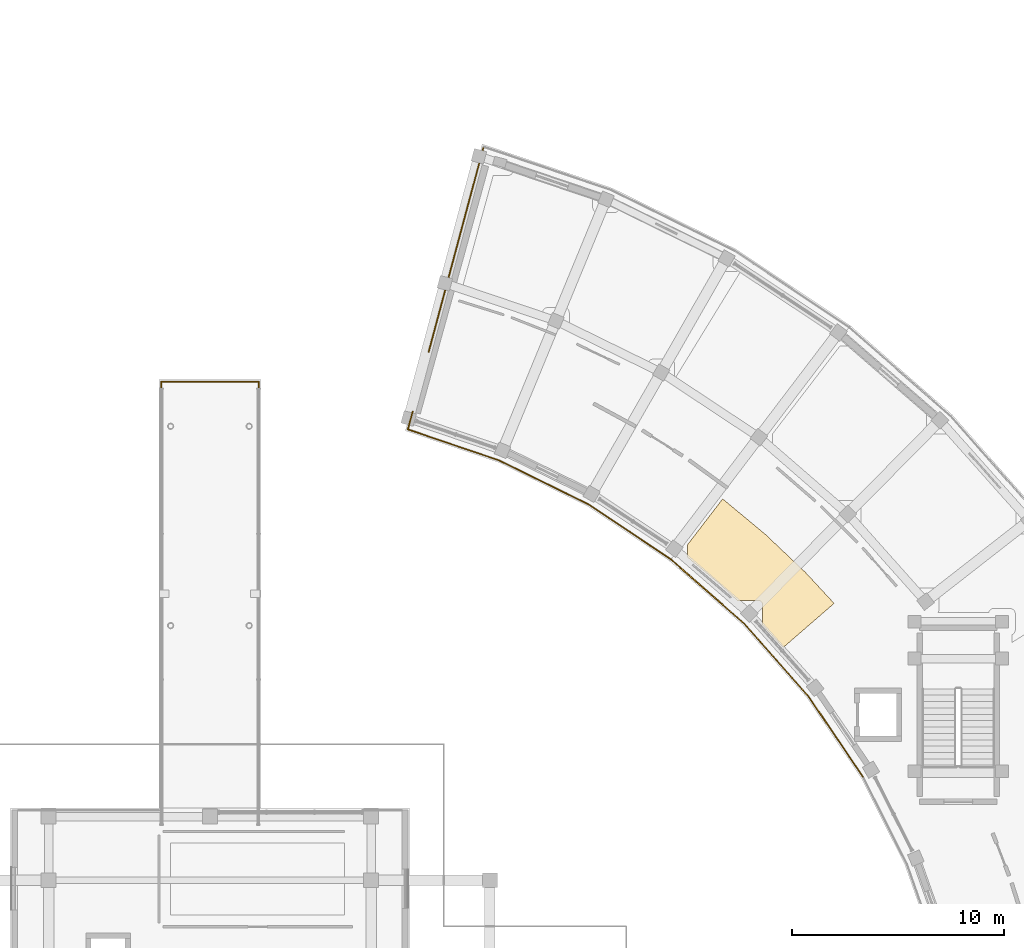
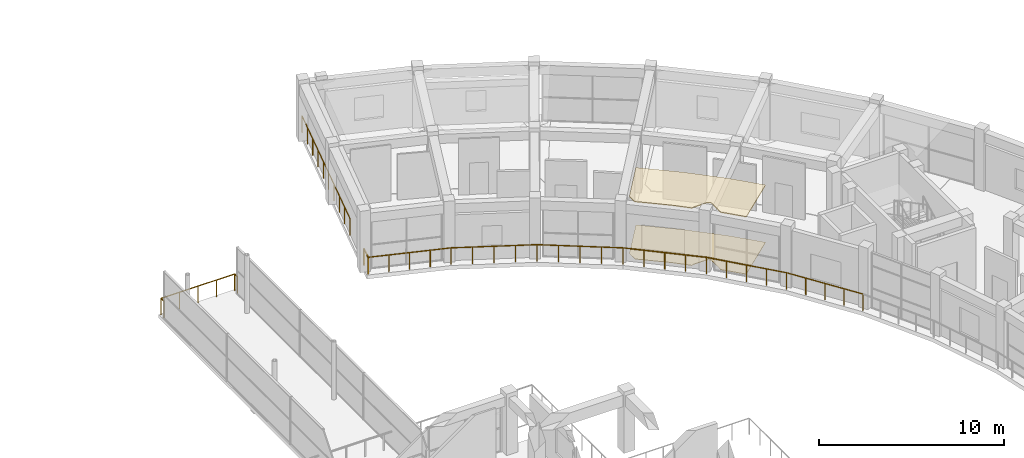
# One storey, part 51 of 53: 11 railings, 2 coverings.
"""IFC4 building model written with IfcOpenShell, lengths in metres."""

from ifc_helpers import new_model, si_unit, direction, frame, origin, origin_2d, place, context, subcontext, project, spatial, polyline, rectangle, outline, extrude, material, layer, layer_set, type_object, element, save


model = new_model("IFC4")

# Units and contexts
model_context = context("Model", 3, precision=1e-05, world=origin(), true_north=direction((0.0, 1.0)))
body_context = subcontext(model_context, "Body", "Model", "MODEL_VIEW")
ifc_project = project(units=[si_unit("LENGTHUNIT", "METRE"), si_unit("AREAUNIT", "SQUARE_METRE"), si_unit("VOLUMEUNIT", "CUBIC_METRE"), si_unit("PLANEANGLEUNIT", "RADIAN"), si_unit("MASSUNIT", "GRAM", prefix="KILO")], contexts=[model_context])

# Site, building, storey
site_placement = place(None, origin())
site = spatial("IfcSite", under=ifc_project, at=site_placement, CompositionType="ELEMENT")
building_placement = place(site_placement, origin())
building = spatial("IfcBuilding", under=site, at=building_placement, Name="Saryqyr Civic Hall", CompositionType="ELEMENT")
storey_placement = place(building_placement, frame((0.0, 0.0, 21.300048828125)))
storey = spatial("IfcBuildingStorey", under=building, at=storey_placement, Name="L05", CompositionType="ELEMENT", Elevation=21.300048828125)

# Coverings
ifc_material_1 = material(Name="Mineral-fibre acoustic ceiling tile", Category="acoustic_tile")
ifc_layer_1 = layer(ifc_material_1, 0.06005859375, Name="Mineral-fibre acoustic ceiling tile")
ifc_layer_set_1 = layer_set([ifc_layer_1], Name="Mineral-fibre acoustic ceiling tile")
covering_type_1 = type_object("IfcCoveringType", Name="INT-COV-CEIL-60", PredefinedType="CEILING", material=ifc_layer_set_1)
covering_1_placement = place(storey_placement, frame((0.0, 0.0, 3.760009765625)))
element("IfcCovering", 1, at=covering_1_placement, inside=storey, type_object=covering_type_1, Name="Acoustic ceiling Mayor's Private Antechamber", PredefinedType="CEILING", context=body_context, shape_type="SweptSolid", body=[
    extrude(outline(polyline([(79.52197265625, 112.41845703125), (79.522705078125, 112.42431640625), (79.52392578125, 112.44873046875), (79.52392578125, 113.025390625), (81.1728515625, 115.174072265625), (81.21337890625, 115.144775390625), (83.1953125, 113.4970703125), (85.065673828125, 111.7236328125), (86.4287109375, 110.25048828125), (84.025634765625, 108.168701171875), (83.019775390625, 109.255859375), (83.02734375, 109.268798828125), (83.037841796875, 109.290771484375), (83.046142578125, 109.31396484375), (83.052001953125, 109.337646484375), (83.0556640625, 109.362060546875), (83.056884765625, 109.386474609375), (83.056884765625, 110.146484375), (83.0556640625, 110.1708984375), (83.052001953125, 110.1953125), (83.046142578125, 110.218994140625), (83.037841796875, 110.2421875), (83.02734375, 110.264404296875), (83.014892578125, 110.285400390625), (83.000244140625, 110.30517578125), (82.983642578125, 110.3232421875), (82.965576171875, 110.33984375), (82.94580078125, 110.3544921875), (82.9248046875, 110.366943359375), (82.902587890625, 110.37744140625), (82.87939453125, 110.3857421875), (82.855712890625, 110.3916015625), (82.831298828125, 110.395263671875), (82.806884765625, 110.396484375), (82.046875, 110.396484375), (82.0224609375, 110.395263671875), (81.998046875, 110.3916015625), (81.974365234375, 110.3857421875), (81.951171875, 110.37744140625), (81.92919921875, 110.366943359375), (81.907958984375, 110.3544921875), (81.898681640625, 110.347412109375), (81.09716796875, 111.107421875), (81.0703125, 111.13134765625), (79.52197265625, 112.41845703125)])), origin(), (0.0, 0.0, 1.0), 0.06005859375),
])
ifc_material_2 = material(Name="Polished terrazzo tile", Category="stone")
ifc_layer_2 = layer(ifc_material_2, 0.030029296875, Name="Polished terrazzo tile")
ifc_layer_set_2 = layer_set([ifc_layer_2], Name="Polished terrazzo tile")
covering_type_2 = type_object("IfcCoveringType", Name="INT-COV-FLR-30", PredefinedType="FLOORING", material=ifc_layer_set_2)
covering_2_placement = place(storey_placement, origin())
element("IfcCovering", 2, at=covering_2_placement, inside=storey, type_object=covering_type_2, Name="Polished terrazzo flooring Mayor's Private Antechamber", PredefinedType="FLOORING", context=body_context, shape_type="SweptSolid", body=[
    extrude(outline(polyline([(79.52197265625, 112.41845703125), (79.522705078125, 112.42431640625), (79.52392578125, 112.44873046875), (79.52392578125, 113.025390625), (81.1728515625, 115.174072265625), (81.21337890625, 115.144775390625), (83.1953125, 113.4970703125), (85.065673828125, 111.7236328125), (86.4287109375, 110.25048828125), (84.025634765625, 108.168701171875), (83.019775390625, 109.255859375), (83.02734375, 109.268798828125), (83.037841796875, 109.290771484375), (83.046142578125, 109.31396484375), (83.052001953125, 109.337646484375), (83.0556640625, 109.362060546875), (83.056884765625, 109.386474609375), (83.056884765625, 110.146484375), (83.0556640625, 110.1708984375), (83.052001953125, 110.1953125), (83.046142578125, 110.218994140625), (83.037841796875, 110.2421875), (83.02734375, 110.264404296875), (83.014892578125, 110.285400390625), (83.000244140625, 110.30517578125), (82.983642578125, 110.3232421875), (82.965576171875, 110.33984375), (82.94580078125, 110.3544921875), (82.9248046875, 110.366943359375), (82.902587890625, 110.37744140625), (82.87939453125, 110.3857421875), (82.855712890625, 110.3916015625), (82.831298828125, 110.395263671875), (82.806884765625, 110.396484375), (82.046875, 110.396484375), (82.0224609375, 110.395263671875), (81.998046875, 110.3916015625), (81.974365234375, 110.3857421875), (81.951171875, 110.37744140625), (81.92919921875, 110.366943359375), (81.907958984375, 110.3544921875), (81.898681640625, 110.347412109375), (81.09716796875, 111.107421875), (81.0703125, 111.13134765625), (79.52197265625, 112.41845703125)])), origin(), (0.0, 0.0, 1.0), 0.030029296875),
])

# Railings
ifc_material_3 = material(Name="Warm brushed brass and laminated glass", Category="glass")
ifc_layer_3 = layer(ifc_material_3, 0.06005859375, Name="Warm brushed brass and laminated glass")
ifc_layer_set_3 = layer_set([ifc_layer_3], Name="Warm brushed brass and laminated glass")
railing_type = type_object("IfcRailingType", Name="INT-RLG-BAL-1100", PredefinedType="BALUSTRADE", material=ifc_layer_set_3)
railing_1_placement = place(storey_placement, frame((54.699951171875, 120.39990234375, 0.0)))
element("IfcRailing", 3, at=railing_1_placement, inside=storey, type_object=railing_type, Name="Interior deck safety balustrade L05-003", PredefinedType="BALUSTRADE", context=body_context, shape_type="SweptSolid", body=[
    extrude(rectangle(XDim=0.048095703125, YDim=0.048095703125, at=origin_2d()), frame((0.0, 0.0, 1.09619140625), z_axis=(0.0, 1.0, 0.0), x_axis=(-1.0, 0.0, 0.0)), (0.0, 0.0, 1.0), 0.300048828125),
    extrude(rectangle(XDim=0.0419921875, YDim=0.0419921875, at=origin_2d()), origin(), (0.0, 0.0, 1.0), 1.072021484375),
    extrude(rectangle(XDim=0.0419921875, YDim=0.0419921875, at=origin_2d()), frame((0.0, 0.300048828125, 0.0)), (0.0, 0.0, 1.0), 1.072021484375),
])
railing_2_placement = place(storey_placement, frame((54.699951171875, 120.699951171875, 0.0)))
element("IfcRailing", 4, at=railing_2_placement, inside=storey, type_object=railing_type, Name="Interior deck safety balustrade L05-004", PredefinedType="BALUSTRADE", context=body_context, shape_type="SweptSolid", body=[
    extrude(rectangle(XDim=0.048095703125, YDim=0.048095703125, at=origin_2d()), frame((0.0, 0.0, 1.09619140625), z_axis=(1.0, 0.0, 0.0), x_axis=(0.0, 1.0, 0.0)), (0.0, 0.0, 1.0), 4.60009765625),
    extrude(rectangle(XDim=0.0419921875, YDim=0.0419921875, at=origin_2d()), origin(), (0.0, 0.0, 1.0), 1.072021484375),
    extrude(rectangle(XDim=0.0419921875, YDim=0.0419921875, at=origin_2d()), frame((1.14990234375, 0.0, 0.0)), (0.0, 0.0, 1.0), 1.072021484375),
    extrude(rectangle(XDim=0.0419921875, YDim=0.0419921875, at=origin_2d()), frame((2.300048828125, 0.0, 0.0)), (0.0, 0.0, 1.0), 1.072021484375),
    extrude(rectangle(XDim=0.0419921875, YDim=0.0419921875, at=origin_2d()), frame((3.4501953125, 0.0, 0.0)), (0.0, 0.0, 1.0), 1.072021484375),
    extrude(rectangle(XDim=0.0419921875, YDim=0.0419921875, at=origin_2d()), frame((4.60009765625, 0.0, 0.0)), (0.0, 0.0, 1.0), 1.072021484375),
])
railing_3_placement = place(storey_placement, frame((59.300048828125, 120.699951171875, 0.0)))
element("IfcRailing", 5, at=railing_3_placement, inside=storey, type_object=railing_type, Name="Interior deck safety balustrade L05-005", PredefinedType="BALUSTRADE", context=body_context, shape_type="SweptSolid", body=[
    extrude(rectangle(XDim=0.048095703125, YDim=0.048095703125, at=origin_2d()), frame((0.0, 0.0, 1.09619140625), z_axis=(0.0, -1.0, 0.0), x_axis=(1.0, 0.0, 0.0)), (0.0, 0.0, 1.0), 0.300048828125),
    extrude(rectangle(XDim=0.0419921875, YDim=0.0419921875, at=origin_2d()), origin(), (0.0, 0.0, 1.0), 1.072021484375),
    extrude(rectangle(XDim=0.0419921875, YDim=0.0419921875, at=origin_2d()), frame((0.0, -0.300048828125, 0.0)), (0.0, 0.0, 1.0), 1.072021484375),
])
railing_4_placement = place(storey_placement, frame((87.78955078125, 102.0693359375, 0.0)))
element("IfcRailing", 6, at=railing_4_placement, inside=storey, type_object=railing_type, Name="Interior deck safety balustrade L05-014", PredefinedType="BALUSTRADE", context=body_context, shape_type="SweptSolid", body=[
    extrude(rectangle(XDim=0.048095703125, YDim=0.048095703125, at=origin_2d()), frame((0.0, 0.0, 1.09619140625), z_axis=(-0.560473726113, 0.828172205726, 0.0), x_axis=(-0.828172205726, -0.560473726113, 0.0)), (0.0, 0.0, 1.0), 4.58544921875),
    extrude(rectangle(XDim=0.0419921875, YDim=0.0419921875, at=origin_2d()), origin(), (0.0, 0.0, 1.0), 1.072021484375),
    extrude(rectangle(XDim=0.0419921875, YDim=0.0419921875, at=origin_2d()), frame((-0.642578125, 0.949462890625, 0.0)), (0.0, 0.0, 1.0), 1.072021484375),
    extrude(rectangle(XDim=0.0419921875, YDim=0.0419921875, at=origin_2d()), frame((-1.28515625, 1.89892578125, 0.0)), (0.0, 0.0, 1.0), 1.072021484375),
    extrude(rectangle(XDim=0.0419921875, YDim=0.0419921875, at=origin_2d()), frame((-1.927490234375, 2.84814453125, 0.0)), (0.0, 0.0, 1.0), 1.072021484375),
    extrude(rectangle(XDim=0.0419921875, YDim=0.0419921875, at=origin_2d()), frame((-2.570068359375, 3.797607421875, 0.0)), (0.0, 0.0, 1.0), 1.072021484375),
])
railing_5_placement = place(storey_placement, frame((85.219482421875, 105.866943359375, 0.0)))
element("IfcRailing", 7, at=railing_5_placement, inside=storey, type_object=railing_type, Name="Interior deck safety balustrade L05-015", PredefinedType="BALUSTRADE", context=body_context, shape_type="SweptSolid", body=[
    extrude(rectangle(XDim=0.048095703125, YDim=0.048095703125, at=origin_2d()), frame((0.0, 0.0, 1.09619140625), z_axis=(-0.661984324171, 0.74951768128, 0.0), x_axis=(-0.74951768128, -0.661984324171, 0.0)), (0.0, 0.0, 1.0), 4.585205078125),
    extrude(rectangle(XDim=0.0419921875, YDim=0.0419921875, at=origin_2d()), origin(), (0.0, 0.0, 1.0), 1.072021484375),
    extrude(rectangle(XDim=0.0419921875, YDim=0.0419921875, at=origin_2d()), frame((-0.7587890625, 0.859130859375, 0.0)), (0.0, 0.0, 1.0), 1.072021484375),
    extrude(rectangle(XDim=0.0419921875, YDim=0.0419921875, at=origin_2d()), frame((-1.517578125, 1.71826171875, 0.0)), (0.0, 0.0, 1.0), 1.072021484375),
    extrude(rectangle(XDim=0.0419921875, YDim=0.0419921875, at=origin_2d()), frame((-2.276611328125, 2.57763671875, 0.0)), (0.0, 0.0, 1.0), 1.072021484375),
    extrude(rectangle(XDim=0.0419921875, YDim=0.0419921875, at=origin_2d()), frame((-3.035400390625, 3.436767578125, 0.0)), (0.0, 0.0, 1.0), 1.072021484375),
])
railing_6_placement = place(storey_placement, frame((82.18408203125, 109.3037109375, 0.0)))
element("IfcRailing", 8, at=railing_6_placement, inside=storey, type_object=railing_type, Name="Interior deck safety balustrade L05-016", PredefinedType="BALUSTRADE", context=body_context, shape_type="SweptSolid", body=[
    extrude(rectangle(XDim=0.048095703125, YDim=0.048095703125, at=origin_2d()), frame((0.0, 0.0, 1.09619140625), z_axis=(-0.752629463161, 0.658444296188, 0.0), x_axis=(-0.658444296188, -0.752629463161, 0.0)), (0.0, 0.0, 1.0), 4.58544921875),
    extrude(rectangle(XDim=0.0419921875, YDim=0.0419921875, at=origin_2d()), origin(), (0.0, 0.0, 1.0), 1.072021484375),
    extrude(rectangle(XDim=0.0419921875, YDim=0.0419921875, at=origin_2d()), frame((-0.86279296875, 0.7548828125, 0.0)), (0.0, 0.0, 1.0), 1.072021484375),
    extrude(rectangle(XDim=0.0419921875, YDim=0.0419921875, at=origin_2d()), frame((-1.7255859375, 1.509765625, 0.0)), (0.0, 0.0, 1.0), 1.072021484375),
    extrude(rectangle(XDim=0.0419921875, YDim=0.0419921875, at=origin_2d()), frame((-2.58837890625, 2.264404296875, 0.0)), (0.0, 0.0, 1.0), 1.072021484375),
    extrude(rectangle(XDim=0.0419921875, YDim=0.0419921875, at=origin_2d()), frame((-3.451171875, 3.019287109375, 0.0)), (0.0, 0.0, 1.0), 1.072021484375),
])
railing_7_placement = place(storey_placement, frame((78.73291015625, 112.322998046875, 0.0)))
element("IfcRailing", 9, at=railing_7_placement, inside=storey, type_object=railing_type, Name="Interior deck safety balustrade L05-017", PredefinedType="BALUSTRADE", context=body_context, shape_type="SweptSolid", body=[
    extrude(rectangle(XDim=0.048095703125, YDim=0.048095703125, at=origin_2d()), frame((0.0, 0.0, 1.09619140625), z_axis=(-0.831486832924, 0.555544459674, 0.0), x_axis=(-0.555544459674, -0.831486832924, 0.0)), (0.0, 0.0, 1.0), 4.669677734375),
    extrude(rectangle(XDim=0.0419921875, YDim=0.0419921875, at=origin_2d()), origin(), (0.0, 0.0, 1.0), 1.072021484375),
    extrude(rectangle(XDim=0.0419921875, YDim=0.0419921875, at=origin_2d()), frame((-0.970703125, 0.6484375, 0.0)), (0.0, 0.0, 1.0), 1.072021484375),
    extrude(rectangle(XDim=0.0419921875, YDim=0.0419921875, at=origin_2d()), frame((-1.94140625, 1.297119140625, 0.0)), (0.0, 0.0, 1.0), 1.072021484375),
    extrude(rectangle(XDim=0.0419921875, YDim=0.0419921875, at=origin_2d()), frame((-2.912109375, 1.94580078125, 0.0)), (0.0, 0.0, 1.0), 1.072021484375),
    extrude(rectangle(XDim=0.0419921875, YDim=0.0419921875, at=origin_2d()), frame((-3.8828125, 2.59423828125, 0.0)), (0.0, 0.0, 1.0), 1.072021484375),
])
railing_8_placement = place(storey_placement, frame((74.85009765625, 114.917236328125, 0.0)))
element("IfcRailing", 10, at=railing_8_placement, inside=storey, type_object=railing_type, Name="Interior deck safety balustrade L05-018", PredefinedType="BALUSTRADE", context=body_context, shape_type="SweptSolid", body=[
    extrude(rectangle(XDim=0.048095703125, YDim=0.048095703125, at=origin_2d()), frame((0.0, 0.0, 1.09619140625), z_axis=(-0.896870870578, 0.44229248412, 0.0), x_axis=(-0.44229248412, -0.896870870578, 0.0)), (0.0, 0.0, 1.0), 4.669921875),
    extrude(rectangle(XDim=0.0419921875, YDim=0.0419921875, at=origin_2d()), origin(), (0.0, 0.0, 1.0), 1.072021484375),
    extrude(rectangle(XDim=0.0419921875, YDim=0.0419921875, at=origin_2d()), frame((-1.047119140625, 0.516357421875, 0.0)), (0.0, 0.0, 1.0), 1.072021484375),
    extrude(rectangle(XDim=0.0419921875, YDim=0.0419921875, at=origin_2d()), frame((-2.09423828125, 1.03271484375, 0.0)), (0.0, 0.0, 1.0), 1.072021484375),
    extrude(rectangle(XDim=0.0419921875, YDim=0.0419921875, at=origin_2d()), frame((-3.14111328125, 1.549072265625, 0.0)), (0.0, 0.0, 1.0), 1.072021484375),
    extrude(rectangle(XDim=0.0419921875, YDim=0.0419921875, at=origin_2d()), frame((-4.188232421875, 2.0654296875, 0.0)), (0.0, 0.0, 1.0), 1.072021484375),
])
railing_9_placement = place(storey_placement, frame((70.661865234375, 116.982666015625, 0.0)))
element("IfcRailing", 11, at=railing_9_placement, inside=storey, type_object=railing_type, Name="Interior deck safety balustrade L05-019", PredefinedType="BALUSTRADE", context=body_context, shape_type="SweptSolid", body=[
    extrude(rectangle(XDim=0.048095703125, YDim=0.048095703125, at=origin_2d()), frame((0.0, 0.0, 1.09619140625), z_axis=(-0.946921791476, 0.321464027269, 0.0), x_axis=(-0.321464027269, -0.946921791476, 0.0)), (0.0, 0.0, 1.0), 4.569580078125),
    extrude(rectangle(XDim=0.0419921875, YDim=0.0419921875, at=origin_2d()), origin(), (0.0, 0.0, 1.0), 1.072021484375),
    extrude(rectangle(XDim=0.0419921875, YDim=0.0419921875, at=origin_2d()), frame((-1.081787109375, 0.3671875, 0.0)), (0.0, 0.0, 1.0), 1.072021484375),
    extrude(rectangle(XDim=0.0419921875, YDim=0.0419921875, at=origin_2d()), frame((-2.16357421875, 0.734375, 0.0)), (0.0, 0.0, 1.0), 1.072021484375),
    extrude(rectangle(XDim=0.0419921875, YDim=0.0419921875, at=origin_2d()), frame((-3.245361328125, 1.101806640625, 0.0)), (0.0, 0.0, 1.0), 1.072021484375),
    extrude(rectangle(XDim=0.0419921875, YDim=0.0419921875, at=origin_2d()), frame((-4.3271484375, 1.468994140625, 0.0)), (0.0, 0.0, 1.0), 1.072021484375),
])
railing_10_placement = place(storey_placement, frame((66.334716796875, 118.45166015625, 0.0)))
element("IfcRailing", 12, at=railing_10_placement, inside=storey, type_object=railing_type, Name="Interior deck safety balustrade L05-020", PredefinedType="BALUSTRADE", context=body_context, shape_type="SweptSolid", body=[
    extrude(rectangle(XDim=0.048095703125, YDim=0.048095703125, at=origin_2d()), frame((0.0, 0.0, 1.09619140625), z_axis=(0.258797820574, 0.965931513134, 0.0), x_axis=(-0.965931513134, 0.258797820574, 0.0)), (0.0, 0.0, 1.0), 0.856689453125),
    extrude(rectangle(XDim=0.0419921875, YDim=0.0419921875, at=origin_2d()), origin(), (0.0, 0.0, 1.0), 1.072021484375),
    extrude(rectangle(XDim=0.0419921875, YDim=0.0419921875, at=origin_2d()), frame((0.2216796875, 0.827392578125, 0.0)), (0.0, 0.0, 1.0), 1.072021484375),
])
railing_11_placement = place(storey_placement, frame((67.3134765625, 122.104248046875, 0.0)))
element("IfcRailing", 13, at=railing_11_placement, inside=storey, type_object=railing_type, Name="Interior deck safety balustrade L05-021", PredefinedType="BALUSTRADE", context=body_context, shape_type="SweptSolid", body=[
    extrude(rectangle(XDim=0.048095703125, YDim=0.048095703125, at=origin_2d()), frame((0.0, 0.0, 1.09619140625), z_axis=(0.258831910076, 0.965922379038, 0.0), x_axis=(-0.965922379038, 0.258831910076, 0.0)), (0.0, 0.0, 1.0), 10.01806640625),
    extrude(rectangle(XDim=0.0419921875, YDim=0.0419921875, at=origin_2d()), origin(), (0.0, 0.0, 1.0), 1.072021484375),
    extrude(rectangle(XDim=0.0419921875, YDim=0.0419921875, at=origin_2d()), frame((0.2880859375, 1.0751953125, 0.0)), (0.0, 0.0, 1.0), 1.072021484375),
    extrude(rectangle(XDim=0.0419921875, YDim=0.0419921875, at=origin_2d()), frame((0.576171875, 2.150390625, 0.0)), (0.0, 0.0, 1.0), 1.072021484375),
    extrude(rectangle(XDim=0.0419921875, YDim=0.0419921875, at=origin_2d()), frame((0.8642578125, 3.2255859375, 0.0)), (0.0, 0.0, 1.0), 1.072021484375),
    extrude(rectangle(XDim=0.0419921875, YDim=0.0419921875, at=origin_2d()), frame((1.15234375, 4.30078125, 0.0)), (0.0, 0.0, 1.0), 1.072021484375),
    extrude(rectangle(XDim=0.0419921875, YDim=0.0419921875, at=origin_2d()), frame((1.440673828125, 5.3759765625, 0.0)), (0.0, 0.0, 1.0), 1.072021484375),
    extrude(rectangle(XDim=0.0419921875, YDim=0.0419921875, at=origin_2d()), frame((1.728759765625, 6.451171875, 0.0)), (0.0, 0.0, 1.0), 1.072021484375),
    extrude(rectangle(XDim=0.0419921875, YDim=0.0419921875, at=origin_2d()), frame((2.016845703125, 7.5263671875, 0.0)), (0.0, 0.0, 1.0), 1.072021484375),
    extrude(rectangle(XDim=0.0419921875, YDim=0.0419921875, at=origin_2d()), frame((2.304931640625, 8.6015625, 0.0)), (0.0, 0.0, 1.0), 1.072021484375),
    extrude(rectangle(XDim=0.0419921875, YDim=0.0419921875, at=origin_2d()), frame((2.593017578125, 9.6767578125, 0.0)), (0.0, 0.0, 1.0), 1.072021484375),
])

save(model, "model.ifc")
